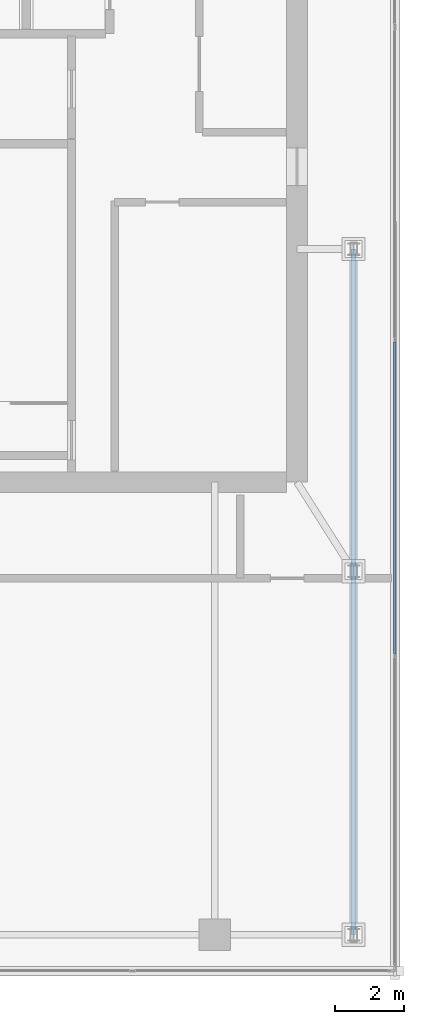
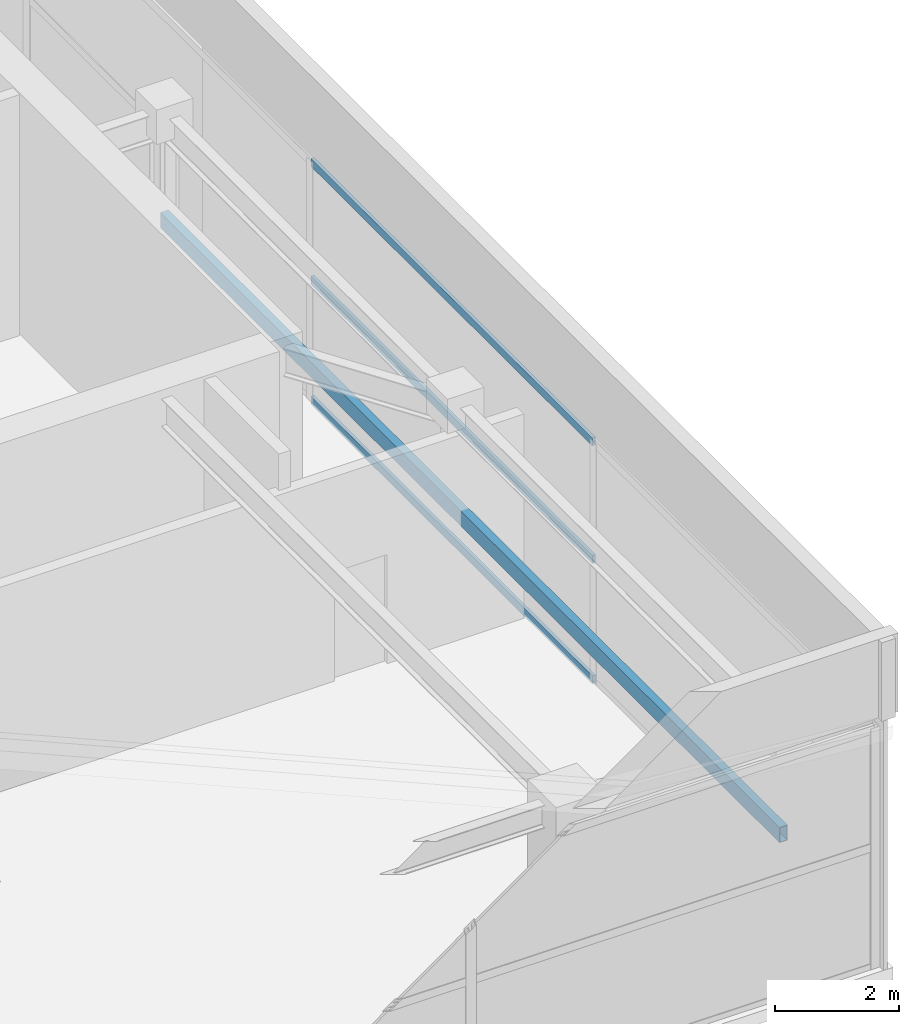
# One storey, part 8 of 20: 4 members, 1 element without a shape of its own.
"""IFC4 building model written with IfcOpenShell, lengths in metres."""

from ifc_helpers import new_model, si_unit, direction, frame, origin, origin_2d, place, context, subcontext, project, spatial, hollow_rectangle, extrude, material, layer, layer_set, material_profile, profile_set, type_object, element, aggregate, save


model = new_model("IFC4")

# Units and contexts
model_context = context("Model", 3, precision=1e-05, world=origin(), true_north=direction((0.0, 1.0)))
body_context = subcontext(model_context, "Body", "Model", "MODEL_VIEW")
ifc_project = project(units=[si_unit("LENGTHUNIT", "METRE"), si_unit("AREAUNIT", "SQUARE_METRE"), si_unit("VOLUMEUNIT", "CUBIC_METRE"), si_unit("PLANEANGLEUNIT", "RADIAN"), si_unit("MASSUNIT", "GRAM", prefix="KILO")], contexts=[model_context])

# Site, building, storey
site_placement = place(None, origin())
site = spatial("IfcSite", under=ifc_project, at=site_placement, CompositionType="ELEMENT")
building_placement = place(site_placement, origin())
building = spatial("IfcBuilding", under=site, at=building_placement, Name="Calvorn Quay Hotel", CompositionType="ELEMENT")
storey_placement = place(building_placement, frame((0.0, 0.0, 345.5)))
storey = spatial("IfcBuildingStorey", under=building, at=storey_placement, Name="L84", CompositionType="ELEMENT", Elevation=345.5)

# Curtain wall, members
ifc_material_1 = material(Name="Pale Anodised Aluminium and Laminated Glass", Category="aluminium")
ifc_layer = layer(ifc_material_1, 0.219970703125)
ifc_layer_set = layer_set([ifc_layer], Name="CW-SYS-CRN")
curtain_wall_type = type_object("IfcCurtainWallType", Name="CW-SYS-CRN", PredefinedType="NOTDEFINED", material=ifc_layer_set)
curtain_wall_placement = place(storey_placement, origin())
curtain_wall = element("IfcCurtainWall", 1, at=curtain_wall_placement, inside=storey, type_object=curtain_wall_type, Name="Crown Curtain Wall L84-C2", PredefinedType="NOTDEFINED")
ifc_material_2 = material(Name="Pale Anodised Aluminium 6063-T6", Category="aluminium")
ifc_material_profile_1 = material_profile(ifc_material_2, hollow_rectangle(XDim=0.06201171875, YDim=0.159912109375, WallThickness=0.00341796875, at=origin_2d()), Name="ALU-T160x62x3.5")
ifc_profile_set_1 = profile_set([ifc_material_profile_1], Name="Pale Anodised Aluminium 6063-T6")
member_type_1 = type_object("IfcMemberType", Name="CW-SYS-CRN-TRN", PredefinedType="USERDEFINED", material=ifc_profile_set_1)
member_1_placement = place(storey_placement, frame((17.85009765625, 11.802001953125, 0.030029296875), z_axis=(0.0, 1.0, 0.0), x_axis=(-1.0, 0.0, 0.0)))
member_1 = element("IfcMember", 2, at=member_1_placement, type_object=member_type_1, Name="CW-L84-C2 transom 2.1", ObjectType="TRANSOM", PredefinedType="USERDEFINED", context=body_context, shape_type="SweptSolid", body=[
    extrude(hollow_rectangle(XDim=0.06201171875, YDim=0.159912109375, WallThickness=0.00341796875, at=origin_2d()), origin(), (0.0, 0.0, 1.0), 9.092041015625),
])
member_2_placement = place(storey_placement, frame((17.85009765625, 11.802001953125, 2.39990234375), z_axis=(0.0, 1.0, 0.0), x_axis=(-1.0, 0.0, 0.0)))
member_2 = element("IfcMember", 3, at=member_2_placement, type_object=member_type_1, Name="CW-L84-C2 transom 2.2", ObjectType="TRANSOM", PredefinedType="USERDEFINED", context=body_context, shape_type="SweptSolid", body=[
    extrude(hollow_rectangle(XDim=0.06201171875, YDim=0.159912109375, WallThickness=0.00341796875, at=origin_2d()), origin(), (0.0, 0.0, 1.0), 9.092041015625),
])
member_3_placement = place(storey_placement, frame((17.85009765625, 11.802001953125, 4.719970703125), z_axis=(0.0, 1.0, 0.0), x_axis=(-1.0, 0.0, 0.0)))
member_3 = element("IfcMember", 4, at=member_3_placement, type_object=member_type_1, Name="CW-L84-C2 transom 2.3", ObjectType="TRANSOM", PredefinedType="USERDEFINED", context=body_context, shape_type="SweptSolid", body=[
    extrude(hollow_rectangle(XDim=0.06201171875, YDim=0.159912109375, WallThickness=0.00341796875, at=origin_2d()), origin(), (0.0, 0.0, 1.0), 9.092041015625),
])
aggregate(curtain_wall, [member_1, member_2, member_3])

# Member
ifc_material_3 = material(Name="Steel Q355B", Category="steel")
ifc_material_profile_2 = material_profile(ifc_material_3, hollow_rectangle(XDim=0.14990234375, YDim=0.300048828125, WallThickness=0.010009765625, at=origin_2d()), Name="RHS300x150x10")
ifc_profile_set_2 = profile_set([ifc_material_profile_2], Name="Steel Q355B")
member_type_2 = type_object("IfcMemberType", Name="MEM-CRN-PURLIN1", PredefinedType="PURLIN", material=ifc_profile_set_2)
member_4_placement = place(storey_placement, frame((16.64990234375, 3.60009765625, 2.375), z_axis=(0.0, 1.0, 0.0), x_axis=(-1.0, 0.0, 0.0)))
element("IfcMember", 5, at=member_4_placement, inside=storey, type_object=member_type_2, Name="Crown Slanted Purlin L84-1", PredefinedType="PURLIN", context=body_context, shape_type="SweptSolid", body=[
    extrude(hollow_rectangle(XDim=0.14990234375, YDim=0.300048828125, WallThickness=0.010009765625, at=origin_2d()), origin(), (0.0, 0.0, 1.0), 20.0),
])

save(model, "model.ifc")
